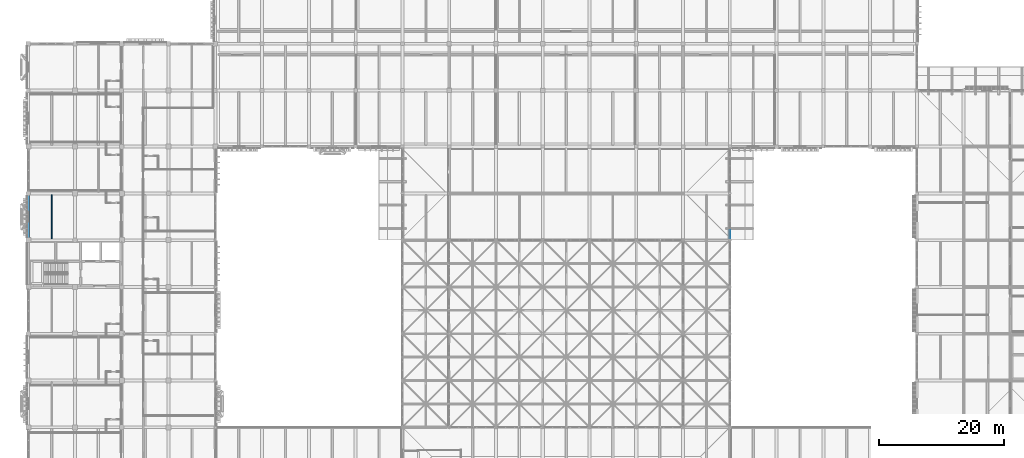
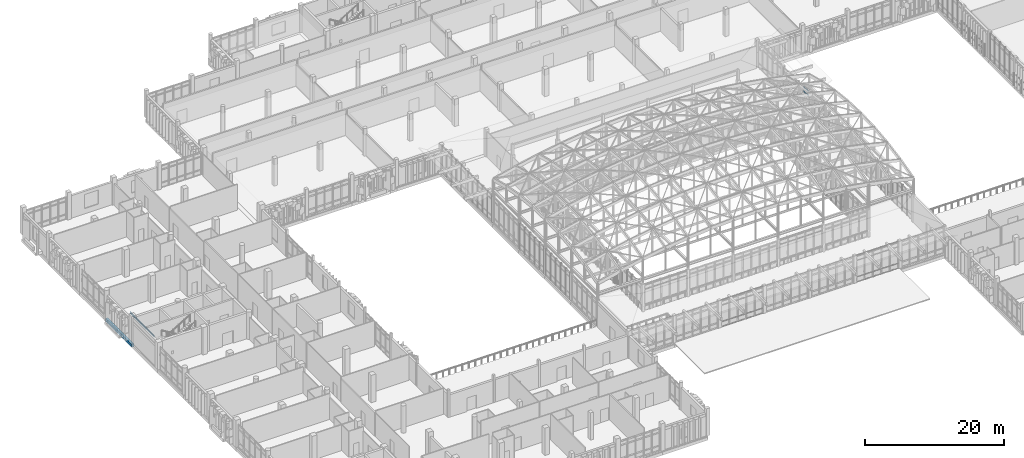
# One storey, part 50 of 131: 2 beams, 2 members, 1 element without a shape of its own.
"""IFC4 building model written with IfcOpenShell, lengths in metres."""

import ifcopenshell
import ifcopenshell.guid

model = None  # the IFC model being written
_history = None  # IfcOwnerHistory: only IFC2X3 demands one
_inside = {}  # id of a spatial element -> (the spatial element, [elements in it])
_under = {}  # id of a project, library or spatial element -> (it, [spatial elements below it])
_declared = {}  # id of a project -> (the project, [libraries it declares])
_typed = {}  # id of a type object -> (the type object, [elements of that type])
_made_of = {}  # id of a material, layer set ... -> (it, [elements and type objects made of it])


def new_model(schema):
    """Start an empty IFC model of exactly this schema.

    Asked for "IFC4X3", IfcOpenShell would pick the latest addendum, in which some entities
    have other attributes; the version numbers below select the first issue.
    IFC2X3 requires an IfcOwnerHistory on every rooted entity: one is made here for all.
    """
    global model, _history
    if schema == "IFC4X3":
        model = ifcopenshell.file(schema_version=(4, 3, 0, 0))
    else:
        model = ifcopenshell.file(schema=schema)
    _inside.clear()
    _under.clear()
    _declared.clear()
    _typed.clear()
    _made_of.clear()
    _history = None
    if model.schema == "IFC2X3":
        org = make("IfcOrganization", Name="unknown")
        user = make(
            "IfcPersonAndOrganization",
            ThePerson=make("IfcPerson", FamilyName="unknown"),
            TheOrganization=org,
        )
        app = make(
            "IfcApplication",
            ApplicationDeveloper=org,
            Version="unknown",
            ApplicationFullName="unknown",
            ApplicationIdentifier="unknown",
        )
        _history = make(
            "IfcOwnerHistory",
            OwningUser=user,
            OwningApplication=app,
            ChangeAction="ADDED",
            CreationDate=0,
        )
    return model


def make(cls, **values):
    """One entity of the class cls with the attributes given. An attribute that is None is left unset."""
    return model.create_entity(
        cls, **{name: value for name, value in values.items() if value is not None}
    )


def rooted(cls, **values):
    """An entity with a GlobalId (a new one), such as an element, a storey or a relation."""
    return make(cls, GlobalId=ifcopenshell.guid.new(), OwnerHistory=_history, **values)


def si_unit(unit_type, name, prefix=None):
    """IfcSIUnit, for example si_unit("LENGTHUNIT", "METRE", prefix="MILLI")."""
    return make("IfcSIUnit", UnitType=unit_type, Prefix=prefix, Name=name)


def assignment(units):
    """IfcUnitAssignment: the units of a project."""
    return None if units is None else make("IfcUnitAssignment", Units=units)


def point(xyz):
    """IfcCartesianPoint."""
    return None if xyz is None else make("IfcCartesianPoint", Coordinates=xyz)


def direction(xyz):
    """IfcDirection."""
    return None if xyz is None else make("IfcDirection", DirectionRatios=xyz)


def frame(location, z_axis=None, x_axis=None):
    """IfcAxis2Placement3D, a coordinate frame: its origin and axes. An axis left out is left unset."""
    return make(
        "IfcAxis2Placement3D",
        Location=point(location),
        Axis=direction(z_axis),
        RefDirection=direction(x_axis),
    )


def frame_2d(location, x_axis=None):
    """IfcAxis2Placement2D, a coordinate frame in the plane: its origin and x axis."""
    return make(
        "IfcAxis2Placement2D", Location=point(location), RefDirection=direction(x_axis)
    )


def origin():
    """The frame at (0, 0, 0) with its axes left unset."""
    return frame((0.0, 0.0, 0.0))


def origin_2d():
    """The frame at (0, 0) in the plane with its x axis left unset."""
    return frame_2d((0.0, 0.0))


def place(relative_to, where):
    """IfcLocalPlacement: puts the frame where relative to a parent placement (None: the world)."""
    return make(
        "IfcLocalPlacement", PlacementRelTo=relative_to, RelativePlacement=where
    )


def context(
    kind, dimensions, precision=None, world=None, true_north=None, identifier=None
):
    """IfcGeometricRepresentationContext, for example the 3D "Model" context."""
    return make(
        "IfcGeometricRepresentationContext",
        ContextIdentifier=identifier,
        ContextType=kind,
        CoordinateSpaceDimension=dimensions,
        Precision=precision,
        WorldCoordinateSystem=world,
        TrueNorth=true_north,
    )


def subcontext(parent, identifier, kind, view, scale=None):
    """IfcGeometricRepresentationSubContext, for example "Body" below "Model"."""
    return make(
        "IfcGeometricRepresentationSubContext",
        ContextIdentifier=identifier,
        ContextType=kind,
        ParentContext=parent,
        TargetScale=scale,
        TargetView=view,
    )


def project(units=None, contexts=None):
    """IfcProject with its units and contexts."""
    return rooted(
        "IfcProject",
        Name="project",
        RepresentationContexts=contexts,
        UnitsInContext=assignment(units),
    )


def spatial(cls, under=None, at=None, **own):
    """A site, building, storey or space (cls), placed at a placement, below another one or the project."""
    s = rooted(cls, ObjectPlacement=at, **own)
    if under is not None:
        _under.setdefault(under.id(), (under, []))[1].append(s)
    return s


def profile(cls, at=None, kind="AREA", **sizes):
    """A parametric profile (cls). Its sizes go by their IFC names, for example OverallWidth=200.0."""
    return make(cls, ProfileType=kind, Position=at, **sizes)


def rectangle(**sizes):
    """IfcRectangleProfileDef."""
    return profile("IfcRectangleProfileDef", **sizes)


def i_section(**sizes):
    """IfcIShapeProfileDef."""
    return profile("IfcIShapeProfileDef", **sizes)


def extrude(swept, where, along, depth):
    """IfcExtrudedAreaSolid: the profile swept, set in the frame where, extruded along a direction by depth."""
    return make(
        "IfcExtrudedAreaSolid",
        SweptArea=swept,
        Position=where,
        ExtrudedDirection=direction(along),
        Depth=depth,
    )


def shape(context_of_items, identifier, shape_type, items):
    """IfcShapeRepresentation: the items that make up one representation, for example the "Body"."""
    return make(
        "IfcShapeRepresentation",
        ContextOfItems=context_of_items,
        RepresentationIdentifier=identifier,
        RepresentationType=shape_type,
        Items=items,
    )


def material(Name=None, Category=None):
    """IfcMaterial."""
    return make("IfcMaterial", Name=Name, Category=Category)


def layer(
    of_material, thickness, ventilated=None, Name=None, Category=None, Priority=None
):
    """IfcMaterialLayer: one layer of a wall or slab, of a material (None: an air gap)."""
    return make(
        "IfcMaterialLayer",
        Material=of_material,
        LayerThickness=thickness,
        IsVentilated=ventilated,
        Name=Name,
        Category=Category,
        Priority=Priority,
    )


def layer_set(layers, Name=None):
    """IfcMaterialLayerSet."""
    return make("IfcMaterialLayerSet", MaterialLayers=layers, LayerSetName=Name)


def material_profile(
    of_material, cross_section, Name=None, Category=None, Priority=None
):
    """IfcMaterialProfile: a cross section and its material."""
    return make(
        "IfcMaterialProfile",
        Name=Name,
        Material=of_material,
        Profile=cross_section,
        Priority=Priority,
        Category=Category,
    )


def profile_set(profiles, Name=None, composite=None):
    """IfcMaterialProfileSet."""
    return make(
        "IfcMaterialProfileSet",
        Name=Name,
        MaterialProfiles=profiles,
        CompositeProfile=composite,
    )


def made_of(thing, what):
    """Note that an element or type object is made of a material, layer set ...; save() writes the relation."""
    if what is not None:
        _made_of.setdefault(what.id(), (what, []))[1].append(thing)
    return thing


def type_object(cls, material=None, **own):
    """A type object (cls), such as IfcWallType, which elements share."""
    return made_of(rooted(cls, **own), material)


def element(
    cls,
    number,
    at=None,
    inside=None,
    cuts=None,
    type_object=None,
    material=None,
    context=None,
    identifier="Body",
    shape_type=None,
    held_by="IfcProductDefinitionShape",
    body=None,
    shapes=None,
    **own,
):
    """One element of the class cls, such as IfcWall. Its Tag is "e" and its number.

    at: its placement. inside: the storey or other place that contains it. cuts: it is an
    opening in that element (IfcRelVoidsElement). A single representation is given by context,
    identifier, shape_type and body (its items); several are given by shapes. held_by: the class
    of the entity that holds the representations. save() writes the other relations.
    """
    e = rooted(cls, Tag="e%d" % number, ObjectPlacement=at, **own)
    if body is not None:
        shapes = [shape(context, identifier, shape_type, body)]
    if shapes is not None:
        e.Representation = make(held_by, Representations=shapes)
    if inside is not None:
        _inside.setdefault(inside.id(), (inside, []))[1].append(e)
    if cuts is not None:
        rooted(
            "IfcRelVoidsElement", RelatingBuildingElement=cuts, RelatedOpeningElement=e
        )
    if type_object is not None:
        _typed.setdefault(type_object.id(), (type_object, []))[1].append(e)
    return made_of(e, material)


def aggregate(whole, parts):
    """IfcRelAggregates: a whole, such as a stair, and the parts it consists of."""
    return rooted("IfcRelAggregates", RelatingObject=whole, RelatedObjects=parts)


def save(model, path):
    """Write the relations noted so far, then the file.

    IfcRelAggregates (storeys below a building ...), IfcRelContainedInSpatialStructure (elements
    in a storey), IfcRelDefinesByType, IfcRelAssociatesMaterial and IfcRelDeclares: one each for
    every whole, place, type object, material and project.
    """
    for whole, parts in _under.values():
        aggregate(whole, parts)
    for where, things in _inside.values():
        rooted(
            "IfcRelContainedInSpatialStructure",
            RelatedElements=things,
            RelatingStructure=where,
        )
    for kind, things in _typed.values():
        rooted("IfcRelDefinesByType", RelatedObjects=things, RelatingType=kind)
    for what, things in _made_of.values():
        rooted("IfcRelAssociatesMaterial", RelatedObjects=things, RelatingMaterial=what)
    for by, libraries in _declared.values():
        rooted("IfcRelDeclares", RelatingContext=by, RelatedDefinitions=libraries)
    model.write(path)


model = new_model("IFC4")

# Units and contexts
model_context = context("Model", 3, precision=1e-05, world=origin(), true_north=direction((0.0, 1.0)))
body_context = subcontext(model_context, "Body", "Model", "MODEL_VIEW")
ifc_project = project(units=[si_unit("LENGTHUNIT", "METRE"), si_unit("AREAUNIT", "SQUARE_METRE"), si_unit("VOLUMEUNIT", "CUBIC_METRE"), si_unit("PLANEANGLEUNIT", "RADIAN"), si_unit("MASSUNIT", "GRAM", prefix="KILO")], contexts=[model_context])

# Site, building, storey
site_placement = place(None, origin())
site = spatial("IfcSite", under=ifc_project, at=site_placement, CompositionType="ELEMENT")
building_placement = place(site_placement, origin())
building = spatial("IfcBuilding", under=site, at=building_placement, Name="Dalvernix Boulevard General Hospital", CompositionType="ELEMENT")
storey_placement = place(building_placement, frame((0.0, 0.0, 9.300048828125)))
storey = spatial("IfcBuildingStorey", under=building, at=storey_placement, Name="L02", CompositionType="ELEMENT", Elevation=9.300048828125)

# Beams
ifc_material_1 = material(Name="Steel S355", Category="steel")
ifc_material_profile_1 = material_profile(ifc_material_1, i_section(OverallWidth=0.14990234375, OverallDepth=0.300048828125, WebThickness=0.007080078125, FlangeThickness=0.0107421875, FilletRadius=0.014892578125, at=origin_2d()), Name="IPE 300")
ifc_profile_set_1 = profile_set([ifc_material_profile_1], Name="Steel S355")
beam_type_1 = type_object("IfcBeamType", Name="BM-JB-03", PredefinedType="JOIST", material=ifc_profile_set_1)
beam_1_placement = place(storey_placement, frame((3.75, 61.72509765625, -0.469970703125), z_axis=(0.0, 1.0, 0.0), x_axis=(-1.0, 0.0, 0.0)))
element("IfcBeam", 1, at=beam_1_placement, inside=storey, type_object=beam_type_1, Name="L02 secondary floor beam 1-J", PredefinedType="JOIST", context=body_context, shape_type="SweptSolid", body=[
    extrude(i_section(OverallWidth=0.14990234375, OverallDepth=0.300048828125, WebThickness=0.007080078125, FlangeThickness=0.0107421875, FilletRadius=0.014892578125, at=origin_2d()), origin(), (0.0, 0.0, 1.0), 7.0498046875),
])
ifc_material_2 = material(Name="Concrete C35/45", Category="concrete")
ifc_material_profile_2 = material_profile(ifc_material_2, rectangle(XDim=0.35009765625, YDim=0.550048828125, at=origin_2d()), Name="RCB 350x550")
ifc_profile_set_2 = profile_set([ifc_material_profile_2], Name="Concrete C35/45")
beam_type_2 = type_object("IfcBeamType", Name="BM-SB-01-E", PredefinedType="SPANDREL", material=ifc_profile_set_2)
beam_2_placement = place(storey_placement, frame((0.0, 61.5, -0.594970703125), z_axis=(0.0, 1.0, 0.0), x_axis=(-1.0, 0.0, 0.0)))
element("IfcBeam", 2, at=beam_2_placement, inside=storey, type_object=beam_type_2, Name="L02 N-S girder 1:J-K", PredefinedType="SPANDREL", context=body_context, shape_type="SweptSolid", body=[
    extrude(rectangle(XDim=0.35009765625, YDim=0.550048828125, at=origin_2d()), origin(), (0.0, 0.0, 1.0), 7.5),
])

# Curtain wall, members
ifc_material_3 = material(Name="Thermally broken aluminium and solar-control glass curtain wall", Category="aluminium")
ifc_layer = layer(ifc_material_3, 0.179931640625)
ifc_layer_set = layer_set([ifc_layer], Name="Thermally broken aluminium and solar-control glass curtain wall (CW-CW-B-70x46)")
curtain_wall_type = type_object("IfcCurtainWallType", Name="CW-CW-B-70x46", PredefinedType="USERDEFINED", material=ifc_layer_set)
curtain_wall_placement = place(storey_placement, origin())
curtain_wall = element("IfcCurtainWall", 3, at=curtain_wall_placement, inside=storey, type_object=curtain_wall_type, Name="L02 curtain wall CW-B-70x46 15-8", ObjectType="GLAZED FACADE", PredefinedType="USERDEFINED")
ifc_material_4 = material(Name="Aluminium EN AW-6060", Category="aluminium")
ifc_material_profile_3 = material_profile(ifc_material_4, rectangle(XDim=0.06494140625, YDim=0.139892578125, at=origin_2d()), Name="ALU TRAN 65x140")
ifc_profile_set_3 = profile_set([ifc_material_profile_3], Name="Aluminium EN AW-6060")
member_type = type_object("IfcMemberType", Name="MEM-CW-T2", PredefinedType="USERDEFINED", material=ifc_profile_set_3)
member_1_placement = place(storey_placement, frame((112.5, 63.1083984375, 3.800048828125), z_axis=(0.0, -1.0, 0.0), x_axis=(1.0, 0.0, 0.0)))
member_1 = element("IfcMember", 4, at=member_1_placement, type_object=member_type, Name="CW-B-70x46 transom 5.3", ObjectType="TRANSOM", PredefinedType="USERDEFINED", context=body_context, shape_type="SweptSolid", body=[
    extrude(rectangle(XDim=0.06494140625, YDim=0.139892578125, at=origin_2d()), origin(), (0.0, 0.0, 1.0), 1.308349609375),
])
member_2_placement = place(storey_placement, frame((112.5, 63.1083984375, 4.517333984375), z_axis=(0.0, -1.0, 0.0), x_axis=(1.0, 0.0, 0.0)))
member_2 = element("IfcMember", 5, at=member_2_placement, type_object=member_type, Name="CW-B-70x46 transom 5.4", ObjectType="TRANSOM", PredefinedType="USERDEFINED", context=body_context, shape_type="SweptSolid", body=[
    extrude(rectangle(XDim=0.06494140625, YDim=0.139892578125, at=origin_2d()), origin(), (0.0, 0.0, 1.0), 1.308349609375),
])
aggregate(curtain_wall, [member_1, member_2])

save(model, "model.ifc")
